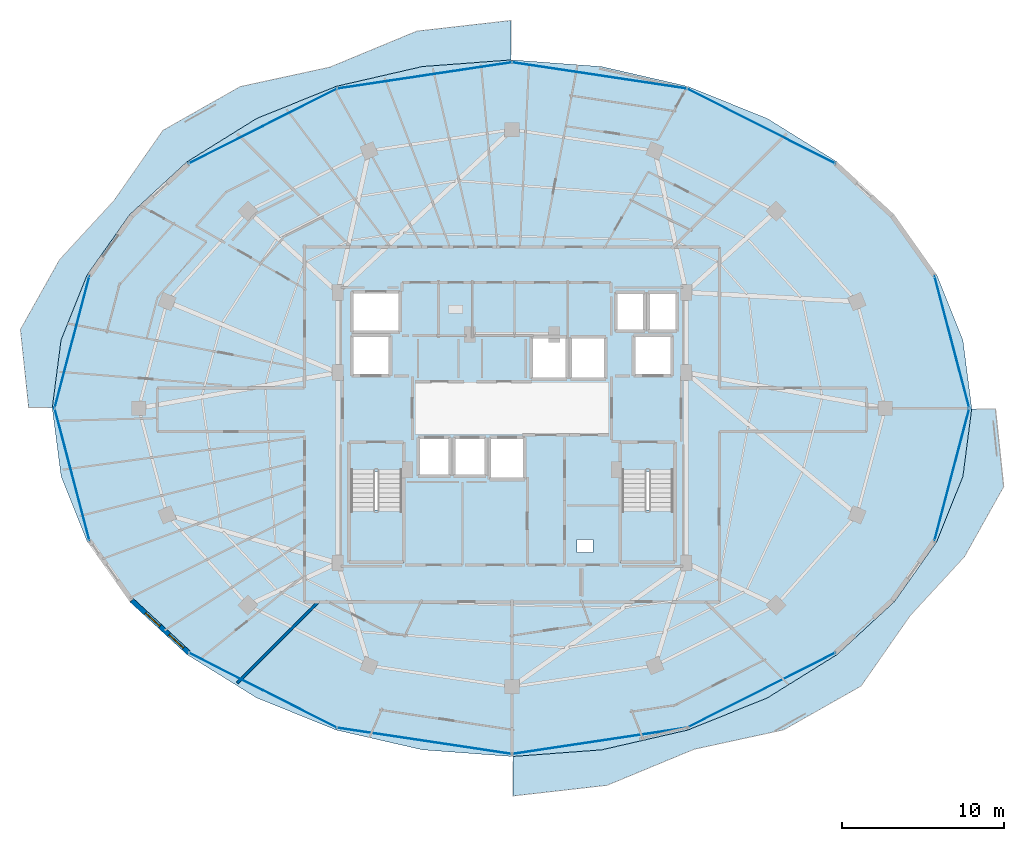
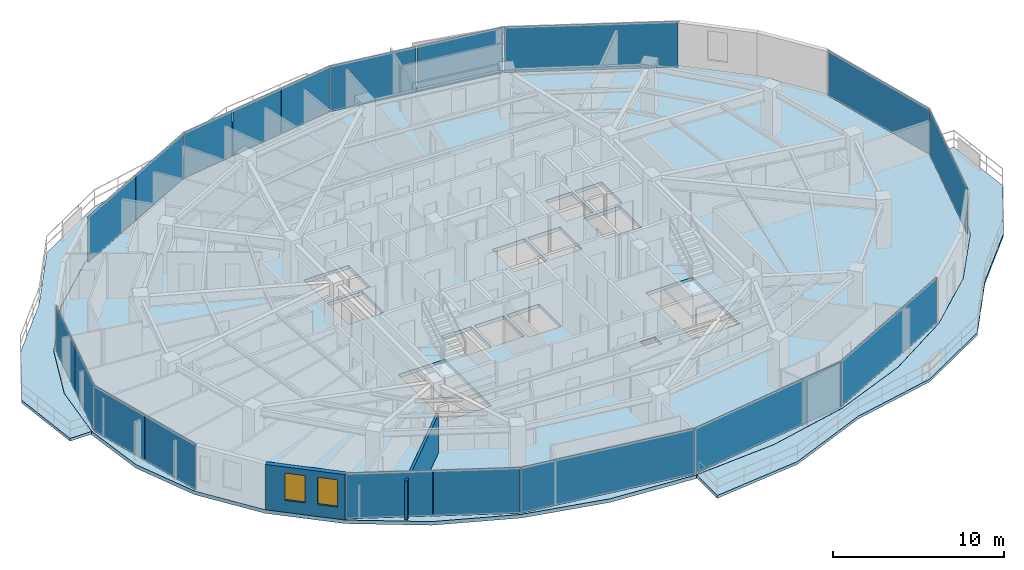
# One storey, part 23 of 33: 19 plates, 5 slabs, 2 walls, 2 windows, 2 openings, 6 elements without a shape of their own.
"""IFC4 building model written with IfcOpenShell, lengths in metres."""

from ifc_helpers import new_model, si_unit, direction, frame, frame_2d, origin, origin_2d, place, context, subcontext, project, spatial, polyline, rectangle, outline, extrude, material, layer, layer_set, type_object, element, fill, aggregate, save


model = new_model("IFC4")

# Units and contexts
model_context = context("Model", 3, precision=1e-05, world=origin(), true_north=direction((0.0, 1.0)))
body_context = subcontext(model_context, "Body", "Model", "MODEL_VIEW")
ifc_project = project(units=[si_unit("LENGTHUNIT", "METRE"), si_unit("AREAUNIT", "SQUARE_METRE"), si_unit("VOLUMEUNIT", "CUBIC_METRE"), si_unit("PLANEANGLEUNIT", "RADIAN"), si_unit("MASSUNIT", "GRAM", prefix="KILO")], contexts=[model_context])

# Site, building, storey
site_placement = place(None, origin())
site = spatial("IfcSite", under=ifc_project, at=site_placement, CompositionType="ELEMENT")
building_placement = place(site_placement, origin())
building = spatial("IfcBuilding", under=site, at=building_placement, Name="Vorneva Point Tower", CompositionType="ELEMENT")
storey_placement = place(building_placement, frame((0.0, 0.0, 189.60009765625)))
storey = spatial("IfcBuildingStorey", under=building, at=storey_placement, Name="L51", CompositionType="ELEMENT", Elevation=189.60009765625)

# Curtain wall, plates
ifc_material_1 = material(Name="Pale anodised aluminium", Category="aluminium")
curtain_wall_type = type_object("IfcCurtainWallType", Name="CW-RES-SYS", PredefinedType="NOTDEFINED", material=ifc_material_1)
curtain_wall_1_placement = place(storey_placement, origin())
curtain_wall_1 = element("IfcCurtainWall", 1, at=curtain_wall_1_placement, inside=storey, type_object=curtain_wall_type, Name="L51 Unitised Curtain Wall CW-L51-R01", PredefinedType="NOTDEFINED")
ifc_material_2 = material(Name="Double low-e laminated glass IGU", Category="glass")
ifc_layer_1 = layer(ifc_material_2, 0.035888671875)
ifc_layer_set_1 = layer_set([ifc_layer_1], Name="Double low-e laminated glass IGU")
plate_type = type_object("IfcPlateType", Name="CW-PNL-VIS", PredefinedType="CURTAIN_PANEL", material=ifc_layer_set_1)
plate_1_placement = place(storey_placement, frame((65.155517578125, 21.914794921875, -0.02001953125), z_axis=(0.0, 0.0, 1.0), x_axis=(0.254365646708, 0.967108121036, 0.0)))
plate_1 = element("IfcPlate", 2, at=plate_1_placement, type_object=plate_type, Name="CW-L51-R01 Glazed Panel 01", PredefinedType="CURTAIN_PANEL", context=body_context, shape_type="SweptSolid", body=[
    extrude(rectangle(XDim=8.398193359375, YDim=0.035888671875, at=origin_2d()), origin(), (0.0, 0.0, 1.0), 3.280029296875),
])
plate_2_placement = place(storey_placement, frame((65.155517578125, 30.085205078125, -0.02001953125), z_axis=(0.0, 0.0, 1.0), x_axis=(-0.254365646708, 0.967108121036, 0.0)))
plate_2 = element("IfcPlate", 3, at=plate_2_placement, type_object=plate_type, Name="CW-L51-R01 Glazed Panel 02", PredefinedType="CURTAIN_PANEL", context=body_context, shape_type="SweptSolid", body=[
    extrude(rectangle(XDim=8.398193359375, YDim=0.035888671875, at=origin_2d()), origin(), (0.0, 0.0, 1.0), 3.280029296875),
])
aggregate(curtain_wall_1, [plate_1, plate_2])

curtain_wall_2_placement = place(storey_placement, origin())
curtain_wall_2 = element("IfcCurtainWall", 4, at=curtain_wall_2_placement, inside=storey, type_object=curtain_wall_type, Name="L51 Unitised Curtain Wall CW-L51-R02", PredefinedType="NOTDEFINED")
plate_3_placement = place(storey_placement, frame((53.38232421875, 43.410888671875, -0.02001953125), z_axis=(0.0, 0.0, 1.0), x_axis=(-0.892514983762, 0.451017742179, 0.0)))
plate_3 = element("IfcPlate", 5, at=plate_3_placement, type_object=plate_type, Name="CW-L51-R02 Glazed Panel 01", PredefinedType="CURTAIN_PANEL", context=body_context, shape_type="SweptSolid", body=[
    extrude(rectangle(XDim=10.21142578125, YDim=0.035888671875, at=origin_2d()), origin(), (0.0, 0.0, 1.0), 3.280029296875),
])
plate_4_placement = place(storey_placement, frame((46.102294921875, 46.131103515625, -0.02001953125), z_axis=(0.0, 0.0, 1.0), x_axis=(-0.988873520862, 0.148758729957, 0.0)))
plate_4 = element("IfcPlate", 6, at=plate_4_placement, type_object=plate_type, Name="CW-L51-R02 Glazed Panel 02A", PredefinedType="CURTAIN_PANEL", context=body_context, shape_type="SweptSolid", body=[
    extrude(rectangle(XDim=5.412353515625, YDim=0.035888671875, at=origin_2d()), origin(), (0.0, 0.0, 1.0), 3.280029296875),
])
plate_5_placement = place(storey_placement, frame((40.70068359375, 46.943603515625, -0.02001953125), z_axis=(0.0, 0.0, 1.0), x_axis=(-0.988873520862, 0.148758729957, 0.0)))
plate_5 = element("IfcPlate", 7, at=plate_5_placement, type_object=plate_type, Name="CW-L51-R02 Glazed Panel 02B", PredefinedType="CURTAIN_PANEL", context=body_context, shape_type="SweptSolid", body=[
    extrude(rectangle(XDim=5.412353515625, YDim=0.035888671875, at=origin_2d()), origin(), (0.0, 0.0, 1.0), 3.280029296875),
])
plate_6_placement = place(storey_placement, frame((36.199462890625, 47.0791015625, -0.02001953125), z_axis=(0.0, 0.0, 1.0), x_axis=(-0.988873520862, -0.148758729957, 0.0)))
plate_6 = element("IfcPlate", 8, at=plate_6_placement, type_object=plate_type, Name="CW-L51-R02 Glazed Panel 03A", PredefinedType="CURTAIN_PANEL", context=body_context, shape_type="SweptSolid", body=[
    extrude(rectangle(XDim=3.591552734375, YDim=0.035888671875, at=origin_2d()), origin(), (0.0, 0.0, 1.0), 3.280029296875),
])
plate_7_placement = place(storey_placement, frame((32.598388671875, 46.537353515625, -0.02001953125), z_axis=(0.0, 0.0, 1.0), x_axis=(-0.988873520862, -0.148758729957, 0.0)))
plate_7 = element("IfcPlate", 9, at=plate_7_placement, type_object=plate_type, Name="CW-L51-R02 Glazed Panel 03B", PredefinedType="CURTAIN_PANEL", context=body_context, shape_type="SweptSolid", body=[
    extrude(rectangle(XDim=3.591552734375, YDim=0.035888671875, at=origin_2d()), origin(), (0.0, 0.0, 1.0), 3.280029296875),
])
plate_8_placement = place(storey_placement, frame((28.997314453125, 45.99560546875, -0.02001953125), z_axis=(0.0, 0.0, 1.0), x_axis=(-0.988873520862, -0.148758729957, 0.0)))
plate_8 = element("IfcPlate", 10, at=plate_8_placement, type_object=plate_type, Name="CW-L51-R02 Glazed Panel 03C", PredefinedType="CURTAIN_PANEL", context=body_context, shape_type="SweptSolid", body=[
    extrude(rectangle(XDim=3.591552734375, YDim=0.035888671875, at=origin_2d()), origin(), (0.0, 0.0, 1.0), 3.280029296875),
])
plate_9_placement = place(storey_placement, frame((24.9072265625, 44.56787109375, -0.02001953125), z_axis=(0.0, 0.0, 1.0), x_axis=(-0.892514983762, -0.451017742179, 0.0)))
plate_9 = element("IfcPlate", 11, at=plate_9_placement, type_object=plate_type, Name="CW-L51-R02 Glazed Panel 04A", PredefinedType="CURTAIN_PANEL", context=body_context, shape_type="SweptSolid", body=[
    extrude(rectangle(XDim=5.080810546875, YDim=0.035888671875, at=origin_2d()), origin(), (0.0, 0.0, 1.0), 3.280029296875),
])
plate_10_placement = place(storey_placement, frame((20.327880859375, 42.253662109375, -0.02001953125), z_axis=(0.0, 0.0, 1.0), x_axis=(-0.892514983762, -0.451017742179, 0.0)))
plate_10 = element("IfcPlate", 12, at=plate_10_placement, type_object=plate_type, Name="CW-L51-R02 Glazed Panel 04B", PredefinedType="CURTAIN_PANEL", context=body_context, shape_type="SweptSolid", body=[
    extrude(rectangle(XDim=5.080810546875, YDim=0.035888671875, at=origin_2d()), origin(), (0.0, 0.0, 1.0), 3.280029296875),
])
aggregate(curtain_wall_2, [plate_3, plate_4, plate_5, plate_6, plate_7, plate_8, plate_9, plate_10])

curtain_wall_3_placement = place(storey_placement, origin())
curtain_wall_3 = element("IfcCurtainWall", 13, at=curtain_wall_3_placement, inside=storey, type_object=curtain_wall_type, Name="L51 Unitised Curtain Wall CW-L51-R03", PredefinedType="NOTDEFINED")
plate_11_placement = place(storey_placement, frame((11.381591796875, 32.127685546875, -0.02001953125), z_axis=(0.0, 0.0, 1.0), x_axis=(-0.254365646708, -0.967108121036, 0.0)))
plate_11 = element("IfcPlate", 14, at=plate_11_placement, type_object=plate_type, Name="CW-L51-R03 Glazed Panel 01A", PredefinedType="CURTAIN_PANEL", context=body_context, shape_type="SweptSolid", body=[
    extrude(rectangle(XDim=4.174072265625, YDim=0.035888671875, at=origin_2d()), origin(), (0.0, 0.0, 1.0), 3.280029296875),
])
plate_12_placement = place(storey_placement, frame((10.30712890625, 28.04248046875, -0.02001953125), z_axis=(0.0, 0.0, 1.0), x_axis=(-0.254365646708, -0.967108121036, 0.0)))
plate_12 = element("IfcPlate", 15, at=plate_12_placement, type_object=plate_type, Name="CW-L51-R03 Glazed Panel 01B", PredefinedType="CURTAIN_PANEL", context=body_context, shape_type="SweptSolid", body=[
    extrude(rectangle(XDim=4.174072265625, YDim=0.035888671875, at=origin_2d()), origin(), (0.0, 0.0, 1.0), 3.280029296875),
])
plate_13_placement = place(storey_placement, frame((10.30712890625, 23.95751953125, -0.02001953125), z_axis=(0.0, 0.0, 1.0), x_axis=(0.254365646708, -0.967108121036, 0.0)))
plate_13 = element("IfcPlate", 16, at=plate_13_placement, type_object=plate_type, Name="CW-L51-R03 Glazed Panel 02A", PredefinedType="CURTAIN_PANEL", context=body_context, shape_type="SweptSolid", body=[
    extrude(rectangle(XDim=4.174072265625, YDim=0.035888671875, at=origin_2d()), origin(), (0.0, 0.0, 1.0), 3.280029296875),
])
plate_14_placement = place(storey_placement, frame((11.381591796875, 19.872314453125, -0.02001953125), z_axis=(0.0, 0.0, 1.0), x_axis=(0.254365646708, -0.967108121036, 0.0)))
plate_14 = element("IfcPlate", 17, at=plate_14_placement, type_object=plate_type, Name="CW-L51-R03 Glazed Panel 02B", PredefinedType="CURTAIN_PANEL", context=body_context, shape_type="SweptSolid", body=[
    extrude(rectangle(XDim=4.174072265625, YDim=0.035888671875, at=origin_2d()), origin(), (0.0, 0.0, 1.0), 3.280029296875),
])
aggregate(curtain_wall_3, [plate_11, plate_12, plate_13, plate_14])

curtain_wall_4_placement = place(storey_placement, origin())
curtain_wall_4 = element("IfcCurtainWall", 18, at=curtain_wall_4_placement, inside=storey, type_object=curtain_wall_type, Name="L51 Unitised Curtain Wall CW-L51-R04", PredefinedType="NOTDEFINED")
plate_15_placement = place(storey_placement, frame((20.327880859375, 9.746337890625, -0.02001953125), z_axis=(0.0, 0.0, 1.0), x_axis=(0.892514983762, -0.451017742179, 0.0)))
plate_15 = element("IfcPlate", 19, at=plate_15_placement, type_object=plate_type, Name="CW-L51-R04 Glazed Panel 01A", PredefinedType="CURTAIN_PANEL", context=body_context, shape_type="SweptSolid", body=[
    extrude(rectangle(XDim=5.080810546875, YDim=0.035888671875, at=origin_2d()), origin(), (0.0, 0.0, 1.0), 3.280029296875),
])
plate_16_placement = place(storey_placement, frame((24.9072265625, 7.43212890625, -0.02001953125), z_axis=(0.0, 0.0, 1.0), x_axis=(0.892514983762, -0.451017742179, 0.0)))
plate_16 = element("IfcPlate", 20, at=plate_16_placement, type_object=plate_type, Name="CW-L51-R04 Glazed Panel 01B", PredefinedType="CURTAIN_PANEL", context=body_context, shape_type="SweptSolid", body=[
    extrude(rectangle(XDim=5.080810546875, YDim=0.035888671875, at=origin_2d()), origin(), (0.0, 0.0, 1.0), 3.280029296875),
])
plate_17_placement = place(storey_placement, frame((32.598388671875, 5.462646484375, -0.02001953125), z_axis=(0.0, 0.0, 1.0), x_axis=(0.988873520862, -0.148758729957, 0.0)))
plate_17 = element("IfcPlate", 21, at=plate_17_placement, type_object=plate_type, Name="CW-L51-R04 Glazed Panel 02", PredefinedType="CURTAIN_PANEL", context=body_context, shape_type="SweptSolid", body=[
    extrude(rectangle(XDim=10.874755859375, YDim=0.035888671875, at=origin_2d()), origin(), (0.0, 0.0, 1.0), 3.280029296875),
])
plate_18_placement = place(storey_placement, frame((43.401611328125, 5.462646484375, -0.02001953125), z_axis=(0.0, 0.0, 1.0), x_axis=(0.988873520862, 0.148758729957, 0.0)))
plate_18 = element("IfcPlate", 22, at=plate_18_placement, type_object=plate_type, Name="CW-L51-R04 Glazed Panel 03", PredefinedType="CURTAIN_PANEL", context=body_context, shape_type="SweptSolid", body=[
    extrude(rectangle(XDim=10.874755859375, YDim=0.035888671875, at=origin_2d()), origin(), (0.0, 0.0, 1.0), 3.280029296875),
])
plate_19_placement = place(storey_placement, frame((53.38232421875, 8.589111328125, -0.02001953125), z_axis=(0.0, 0.0, 1.0), x_axis=(0.892514983762, 0.451017742179, 0.0)))
plate_19 = element("IfcPlate", 23, at=plate_19_placement, type_object=plate_type, Name="CW-L51-R04 Glazed Panel 04", PredefinedType="CURTAIN_PANEL", context=body_context, shape_type="SweptSolid", body=[
    extrude(rectangle(XDim=10.21142578125, YDim=0.035888671875, at=origin_2d()), origin(), (0.0, 0.0, 1.0), 3.280029296875),
])
aggregate(curtain_wall_4, [plate_15, plate_16, plate_17, plate_18, plate_19])

# Slabs
ifc_material_3 = material(Name="Concrete B50 (C40/50)", Category="concrete")
ifc_layer_2 = layer(ifc_material_3, 0.199951171875)
ifc_layer_set_2 = layer_set([ifc_layer_2], Name="Concrete B50 (C40/50)")
slab_type_1 = type_object("IfcSlabType", Name="SLB-BAL-200", PredefinedType="FLOOR", material=ifc_layer_set_2)
slab_1_placement = place(storey_placement, frame((0.0, 0.0, -0.2001953125)))
element("IfcSlab", 24, at=slab_1_placement, inside=storey, type_object=slab_type_1, Name="L51 Cantilevered Wave Balcony NW", PredefinedType="FLOOR", context=body_context, shape_type="SweptSolid", body=[
    extrude(outline(polyline([(8.15966796875, 26.050048828125), (9.62255859375, 26.050048828125), (10.161376953125, 30.19482421875), (10.161376953125, 30.1953125), (10.16162109375, 30.195556640625), (10.16162109375, 30.19580078125), (11.776611328125, 34.229248046875), (11.77685546875, 34.2294921875), (11.777099609375, 34.22998046875), (14.399658203125, 37.947021484375), (14.39990234375, 37.947509765625), (14.400146484375, 37.94775390625), (17.9296875, 41.205810546875), (17.929931640625, 41.2060546875), (17.93017578125, 41.206298828125), (22.230712890625, 43.8798828125), (22.231201171875, 43.880126953125), (22.2314453125, 43.88037109375), (27.137939453125, 45.8671875), (27.13818359375, 45.8671875), (27.138427734375, 45.8671875), (32.46240234375, 47.0908203125), (32.462646484375, 47.0908203125), (32.462890625, 47.0908203125), (37.949951171875, 47.500244140625), (37.949951171875, 49.939208984375), (32.1328125, 49.280029296875), (26.76513671875, 47.05615234375), (21.231201171875, 45.85546875), (16.455810546875, 43.151611328125), (13.425537109375, 38.806884765625), (10.0693359375, 35.1630859375), (7.65380859375, 30.85400390625), (8.15966796875, 26.050048828125)])), origin(), (0.0, 0.0, 1.0), 0.2001953125),
])
slab_2_placement = place(storey_placement, frame((0.0, 0.0, -0.2001953125)))
element("IfcSlab", 25, at=slab_2_placement, inside=storey, type_object=slab_type_1, Name="L51 Cantilevered Wave Balcony SE", PredefinedType="FLOOR", context=body_context, shape_type="SweptSolid", body=[
    extrude(outline(polyline([(68.34619140625, 21.14599609375), (67.84033203125, 25.949951171875), (66.37744140625, 25.949951171875), (65.838623046875, 21.80517578125), (65.838623046875, 21.8046875), (65.83837890625, 21.804443359375), (65.83837890625, 21.80419921875), (64.223388671875, 17.770751953125), (64.22314453125, 17.7705078125), (64.222900390625, 17.77001953125), (61.600341796875, 14.052978515625), (61.60009765625, 14.052490234375), (61.599853515625, 14.05224609375), (58.0703125, 10.794189453125), (58.070068359375, 10.7939453125), (58.06982421875, 10.793701171875), (53.769287109375, 8.1201171875), (53.768798828125, 8.119873046875), (53.7685546875, 8.11962890625), (48.862060546875, 6.1328125), (48.86181640625, 6.1328125), (48.861572265625, 6.1328125), (43.53759765625, 4.9091796875), (43.537353515625, 4.9091796875), (43.537109375, 4.9091796875), (38.050048828125, 4.499755859375), (38.050048828125, 2.060791015625), (43.8671875, 2.719970703125), (49.23486328125, 4.94384765625), (54.768798828125, 6.14453125), (59.544189453125, 8.848388671875), (62.574462890625, 13.193115234375), (65.9306640625, 16.8369140625), (68.34619140625, 21.14599609375)])), origin(), (0.0, 0.0, 1.0), 0.2001953125),
])

# Stair, slab
stair_type = type_object("IfcStairType", Name="ST-DOG-1500", PredefinedType="HALF_TURN_STAIR", material=ifc_material_3)
stair_1_placement = place(storey_placement, origin())
stair_1 = element("IfcStair", 26, at=stair_1_placement, inside=storey, type_object=stair_type, Name="L51 ST1", PredefinedType="HALF_TURN_STAIR")
ifc_layer_3 = layer(ifc_material_3, 0.199951171875)
ifc_layer_set_3 = layer_set([ifc_layer_3], Name="Concrete B50 (C40/50)")
slab_type_2 = type_object("IfcSlabType", Name="SLB-LND-200", PredefinedType="LANDING", material=ifc_layer_set_3)
slab_3_placement = place(storey_placement, frame((0.0, 0.0, 1.5498046875)))
slab_3 = element("IfcSlab", 27, at=slab_3_placement, type_object=slab_type_2, Name="ST1 landing 1", PredefinedType="LANDING", context=body_context, shape_type="SweptSolid", body=[
    extrude(outline(polyline([(27.929931640625, 16.47998046875), (31.320068359375, 16.47998046875), (31.320068359375, 19.72998046875), (27.929931640625, 19.72998046875), (27.929931640625, 16.47998046875)])), origin(), (0.0, 0.0, 1.0), 0.2001953125),
])
aggregate(stair_1, [slab_3])

stair_2_placement = place(storey_placement, origin())
stair_2 = element("IfcStair", 28, at=stair_2_placement, inside=storey, type_object=stair_type, Name="L51 ST2", PredefinedType="HALF_TURN_STAIR")
slab_4_placement = place(storey_placement, frame((0.0, 0.0, 1.5498046875)))
slab_4 = element("IfcSlab", 29, at=slab_4_placement, type_object=slab_type_2, Name="ST2 landing 1", PredefinedType="LANDING", context=body_context, shape_type="SweptSolid", body=[
    extrude(outline(polyline([(44.679931640625, 16.47998046875), (48.070068359375, 16.47998046875), (48.070068359375, 19.72998046875), (44.679931640625, 19.72998046875), (44.679931640625, 16.47998046875)])), origin(), (0.0, 0.0, 1.0), 0.2001953125),
])
aggregate(stair_2, [slab_4])

# Slab
ifc_layer_4 = layer(ifc_material_3, 0.260009765625)
ifc_layer_set_4 = layer_set([ifc_layer_4], Name="Concrete B50 (C40/50)")
slab_type_3 = type_object("IfcSlabType", Name="SLB-TYP-260", PredefinedType="FLOOR", material=ifc_layer_set_4)
slab_5_placement = place(storey_placement, frame((0.0, 0.0, -0.260009765625)))
element("IfcSlab", 30, at=slab_5_placement, inside=storey, type_object=slab_type_3, Name="L51 Structural Floor Plate", PredefinedType="FLOOR", context=body_context, shape_type="SweptSolid", body=[
    extrude(outline(polyline([(66.3798828125, 26.0), (65.834716796875, 30.1943359375), (64.2197265625, 34.227783203125), (61.59716796875, 37.94482421875), (58.067626953125, 41.202880859375), (53.76708984375, 43.876708984375), (48.860595703125, 45.86328125), (43.53662109375, 47.0869140625), (38.0, 47.5), (32.46337890625, 47.0869140625), (27.139404296875, 45.86328125), (22.23291015625, 43.876708984375), (17.932373046875, 41.202880859375), (14.40283203125, 37.94482421875), (11.7802734375, 34.227783203125), (10.165283203125, 30.1943359375), (9.6201171875, 26.0), (10.165283203125, 21.8056640625), (11.7802734375, 17.772216796875), (14.40283203125, 14.05517578125), (17.932373046875, 10.797119140625), (22.23291015625, 8.123291015625), (27.139404296875, 6.13671875), (32.46337890625, 4.9130859375), (38.0, 4.5), (43.53662109375, 4.9130859375), (48.860595703125, 6.13671875), (53.76708984375, 8.123291015625), (58.067626953125, 10.797119140625), (61.59716796875, 14.05517578125), (64.2197265625, 17.772216796875), (65.834716796875, 21.8056640625), (66.3798828125, 26.0)]), holes=[polyline([(32.199951171875, 21.800048828125), (34.199951171875, 21.800048828125), (34.199951171875, 24.199951171875), (32.199951171875, 24.199951171875), (32.199951171875, 21.800048828125)]), polyline([(34.39990234375, 21.800048828125), (36.39990234375, 21.800048828125), (36.39990234375, 24.199951171875), (34.39990234375, 24.199951171875), (34.39990234375, 21.800048828125)]), polyline([(36.60009765625, 21.60009765625), (38.800048828125, 21.60009765625), (38.800048828125, 24.199951171875), (36.60009765625, 24.199951171875), (36.60009765625, 21.60009765625)]), polyline([(39.199951171875, 27.800048828125), (41.39990234375, 27.800048828125), (41.39990234375, 30.39990234375), (39.199951171875, 30.39990234375), (39.199951171875, 27.800048828125)]), polyline([(41.60009765625, 27.800048828125), (43.800048828125, 27.800048828125), (43.800048828125, 30.39990234375), (41.60009765625, 30.39990234375), (41.60009765625, 27.800048828125)]), polyline([(44.39990234375, 30.739990234375), (46.199951171875, 30.739990234375), (46.199951171875, 33.159912109375), (44.39990234375, 33.159912109375), (44.39990234375, 30.739990234375)]), polyline([(46.39990234375, 30.739990234375), (48.199951171875, 30.739990234375), (48.199951171875, 33.159912109375), (46.39990234375, 33.159912109375), (46.39990234375, 30.739990234375)]), polyline([(28.10009765625, 28.0), (30.5, 28.0), (30.5, 30.5), (28.10009765625, 30.5), (28.10009765625, 28.0)]), polyline([(45.5, 28.0), (47.89990234375, 28.0), (47.89990234375, 30.5), (45.5, 30.5), (45.5, 28.0)]), polyline([(28.10009765625, 30.699951171875), (31.10009765625, 30.699951171875), (31.10009765625, 33.199951171875), (28.10009765625, 33.199951171875), (28.10009765625, 30.699951171875)]), polyline([(28.050048828125, 16.60009765625), (31.199951171875, 16.60009765625), (31.199951171875, 22.080078125), (28.050048828125, 22.080078125), (28.050048828125, 16.60009765625)]), polyline([(44.800048828125, 16.60009765625), (47.949951171875, 16.60009765625), (47.949951171875, 22.080078125), (44.800048828125, 22.080078125), (44.800048828125, 16.60009765625)]), polyline([(42.0, 17.10009765625), (43.0, 17.10009765625), (43.0, 17.89990234375), (42.0, 17.89990234375), (42.0, 17.10009765625)])]), origin(), (0.0, 0.0, 1.0), 0.260009765625),
])

# Wall, openings, windows
ifc_material_4 = material(Name="Precast concrete B50 (C40/50)", Category="concrete")
ifc_layer_5 = layer(ifc_material_4, 0.300048828125)
ifc_layer_set_5 = layer_set([ifc_layer_5], Name="Precast concrete B50 (C40/50)")
wall_type_1 = type_object("IfcWallType", Name="WL-EXT-300", PredefinedType="STANDARD", material=ifc_layer_set_5)
wall_1_placement = place(storey_placement, frame((14.527587890625, 14.138671875, 0.0), z_axis=(0.0, 0.0, 1.0), x_axis=(0.735359993374, -0.677676678177, 0.0)))
wall_1 = element("IfcWall", 31, at=wall_1_placement, inside=storey, type_object=wall_type_1, Name="L51 Pale-Metal Facade Spandrel Wall 10.2", PredefinedType="STANDARD", context=body_context, shape_type="SweptSolid", body=[
    extrude(rectangle(XDim=4.774169921875, YDim=0.300048828125, at=frame_2d((2.38720703125, 0.0))), origin(), (0.0, 0.0, 1.0), 3.239990234375),
])
opening_1_placement = place(wall_1_placement, frame((1.158203125, 0.0, 0.85009765625)))
opening_1 = element("IfcOpeningElement", 32, at=opening_1_placement, cuts=wall_1, Name="Opening W-04", PredefinedType="OPENING", context=body_context, shape_type="SweptSolid", body=[
    extrude(rectangle(XDim=1.199951171875, YDim=1.949951171875, at=frame_2d((0.60009765625, 0.97509765625))), frame((0.0, 0.1650390625, 0.0), z_axis=(0.0, -1.0, 0.0), x_axis=(1.0, 0.0, 0.0)), (0.0, 0.0, 1.0), 0.329833984375),
])
opening_2_placement = place(wall_1_placement, frame((3.134765625, 0.0, 0.85009765625)))
opening_2 = element("IfcOpeningElement", 33, at=opening_2_placement, cuts=wall_1, Name="Opening W-04", PredefinedType="OPENING", context=body_context, shape_type="SweptSolid", body=[
    extrude(rectangle(XDim=1.199951171875, YDim=1.949951171875, at=frame_2d((0.60009765625, 0.97509765625))), frame((0.0, 0.1650390625, 0.0), z_axis=(0.0, -1.0, 0.0), x_axis=(1.0, 0.0, 0.0)), (0.0, 0.0, 1.0), 0.329833984375),
])
window_type = type_object("IfcWindowType", Name="WN-RES-1200", PartitioningType="SINGLE_PANEL", PredefinedType="WINDOW", material=ifc_material_2)
window_1_placement = place(opening_1_placement, origin())
window_1 = element("IfcWindow", 34, at=window_1_placement, inside=storey, type_object=window_type, Name="L51 Dwelling Vision Window 03", OverallHeight=1.949951171875, OverallWidth=1.199951171875, PartitioningType="SINGLE_PANEL", PredefinedType="WINDOW", context=body_context, shape_type="SweptSolid", body=[
    extrude(rectangle(XDim=1.199951171875, YDim=1.949951171875, at=frame_2d((0.60009765625, 0.97509765625))), frame((0.0, 0.030029296875, 0.0), z_axis=(0.0, -1.0, 0.0), x_axis=(1.0, 0.0, 0.0)), (0.0, 0.0, 1.0), 0.06005859375),
])
fill(opening_1, window_1)
window_2_placement = place(opening_2_placement, origin())
window_2 = element("IfcWindow", 35, at=window_2_placement, inside=storey, type_object=window_type, Name="L51 Dwelling Vision Window 04", OverallHeight=1.949951171875, OverallWidth=1.199951171875, PartitioningType="SINGLE_PANEL", PredefinedType="WINDOW", context=body_context, shape_type="SweptSolid", body=[
    extrude(rectangle(XDim=1.199951171875, YDim=1.949951171875, at=frame_2d((0.60009765625, 0.97509765625))), frame((0.0, 0.030029296875, 0.0), z_axis=(0.0, -1.0, 0.0), x_axis=(1.0, 0.0, 0.0)), (0.0, 0.0, 1.0), 0.06005859375),
])
fill(opening_2, window_2)

# Wall
ifc_material_5 = material(Name="Fire-rated acoustic gypsum stud partition", Category="gypsum")
ifc_layer_6 = layer(ifc_material_5, 0.159912109375)
ifc_layer_set_6 = layer_set([ifc_layer_6], Name="Fire-rated acoustic gypsum stud partition")
wall_type_2 = type_object("IfcWallType", Name="WL-PART-160", PredefinedType="PARTITIONING", material=ifc_layer_set_6)
wall_2_placement = place(storey_placement, frame((21.041015625, 9.041015625, 0.0), z_axis=(0.0, 0.0, 1.0), x_axis=(0.707106781187, 0.707106781187, 0.0)))
element("IfcWall", 36, at=wall_2_placement, inside=storey, type_object=wall_type_2, Name="L51 Interior Partition 115", PredefinedType="PARTITIONING", context=body_context, shape_type="SweptSolid", body=[
    extrude(rectangle(XDim=7.083740234375, YDim=0.159912109375, at=frame_2d((3.5419921875, 0.0))), origin(), (0.0, 0.0, 1.0), 2.77392578125),
])

save(model, "model.ifc")
